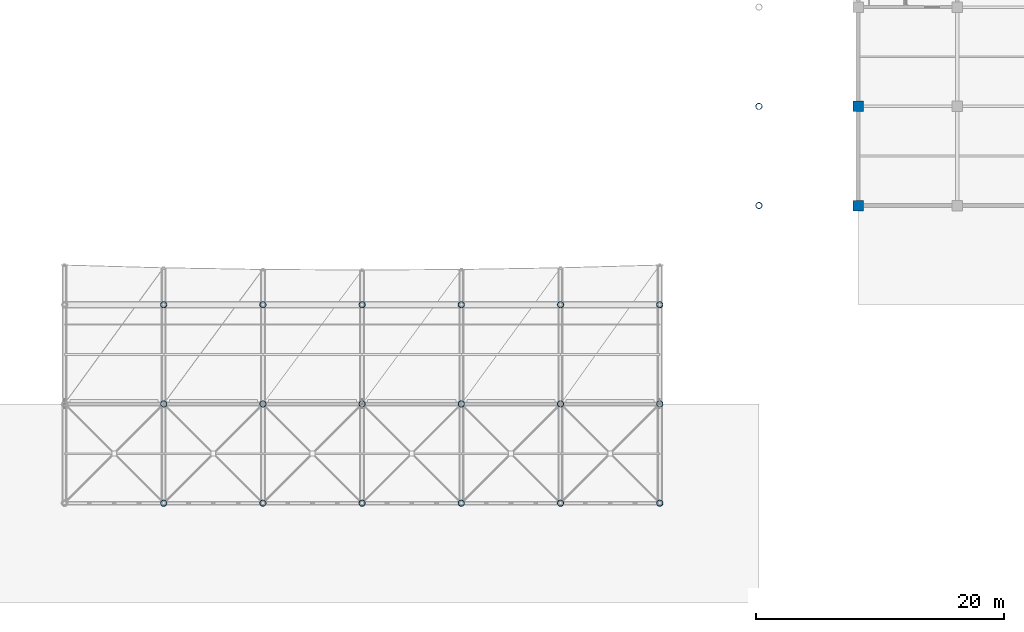
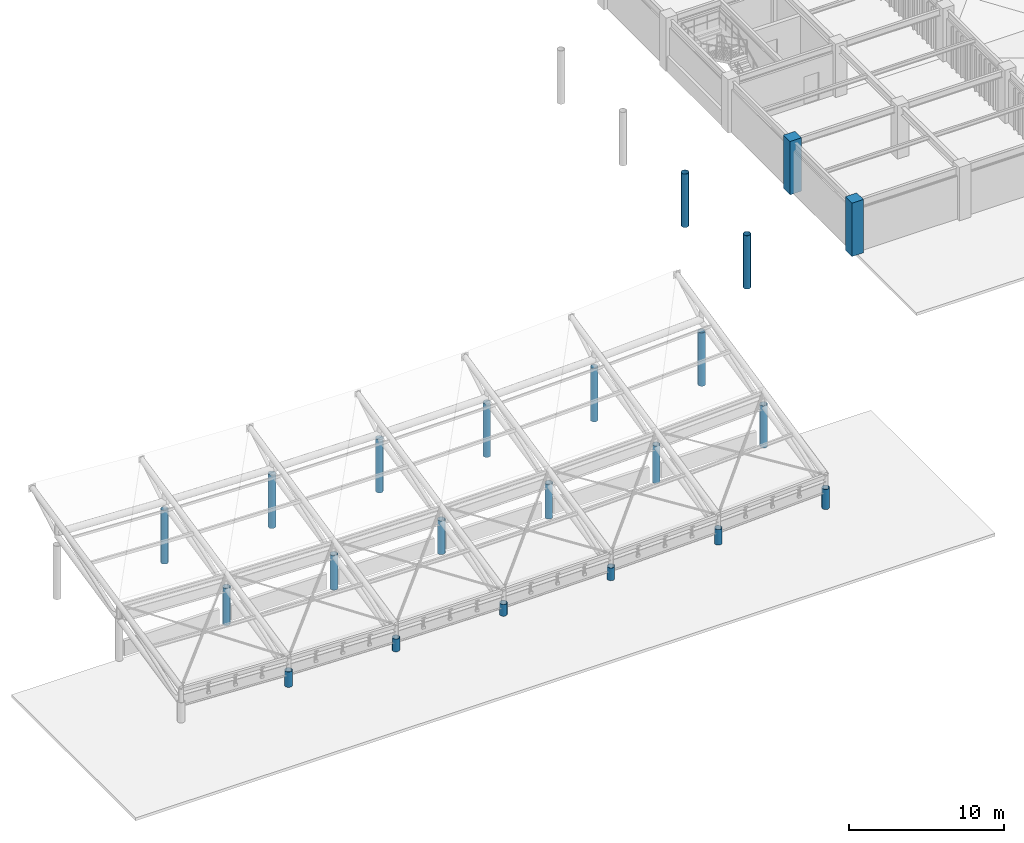
# One storey, part 3 of 78: 22 columns.
"""IFC4 building model written with IfcOpenShell, lengths in metres."""

from ifc_helpers import new_model, si_unit, direction, frame, origin, origin_2d, place, context, subcontext, project, spatial, rectangle, hollow_circle, extrude, material, material_profile, profile_set, type_object, element, save


model = new_model("IFC4")

# Units and contexts
model_context = context("Model", 3, precision=1e-05, world=origin(), true_north=direction((0.0, 1.0)))
body_context = subcontext(model_context, "Body", "Model", "MODEL_VIEW")
ifc_project = project(units=[si_unit("LENGTHUNIT", "METRE"), si_unit("AREAUNIT", "SQUARE_METRE"), si_unit("VOLUMEUNIT", "CUBIC_METRE"), si_unit("PLANEANGLEUNIT", "RADIAN"), si_unit("MASSUNIT", "GRAM", prefix="KILO")], contexts=[model_context])

# Site, building, storey
site_placement = place(None, origin())
site = spatial("IfcSite", under=ifc_project, at=site_placement, CompositionType="ELEMENT")
building_placement = place(site_placement, origin())
building = spatial("IfcBuilding", under=site, at=building_placement, Name="Haebicheon Civic Stadium", CompositionType="ELEMENT")
storey_placement = place(building_placement, frame((0.0, 0.0, 18.60009765625)))
storey = spatial("IfcBuildingStorey", under=building, at=storey_placement, Name="L05", CompositionType="ELEMENT", Elevation=18.60009765625)

# Columns
ifc_material_1 = material(Name="Concrete C40/50", Category="concrete")
ifc_material_profile_1 = material_profile(ifc_material_1, rectangle(XDim=0.85009765625, YDim=0.85009765625, at=origin_2d()), Name="RC-COL-850x850")
ifc_profile_set_1 = profile_set([ifc_material_profile_1], Name="Concrete C40/50")
column_type_1 = type_object("IfcColumnType", Name="COL-RC-850", PredefinedType="COLUMN", material=ifc_profile_set_1)
for number, where, z_axis, x_axis, name in (
    (1, (144.0, 48.0, 0.0), (0.0, 0.0, 1.0), (1.0, 0.0, 0.0), "L05 column 19/G"),
    (2, (144.0, 56.0, 0.0), (0.0, 0.0, 1.0), (1.0, 0.0, 0.0), "L05 column 19/H"),
):
    element("IfcColumn", number, at=place(storey_placement, frame(where, z_axis=z_axis, x_axis=x_axis)), inside=storey, type_object=column_type_1, material=ifc_profile_set_1, Name=name, PredefinedType="COLUMN", context=body_context, shape_type="SweptSolid", body=[
        extrude(rectangle(XDim=0.85009765625, YDim=0.85009765625, at=origin_2d()), origin(), (0.0, 0.0, 1.0), 4.199951171875),
    ])
ifc_material_2 = material(Name="White painted steel SM490", Category="steel")
ifc_material_profile_2 = material_profile(ifc_material_2, hollow_circle(Radius=0.25390625, WallThickness=0.02490234375, at=origin_2d()), Name="CHS-508.0x25.0")
ifc_profile_set_2 = profile_set([ifc_material_profile_2], Name="White painted steel SM490")
column_type_2 = type_object("IfcColumnType", Name="COL-ST-CHS508", PredefinedType="COLUMN", material=ifc_profile_set_2)
for number, where, z_axis, x_axis, name in (
    (3, (136.0, 48.0, 0.0), (0.0, 0.0, 1.0), (1.0, 0.0, 0.0), "Bowl/canopy support column 136/48 (L05)"),
    (4, (136.0, 56.0, 0.0), (0.0, 0.0, 1.0), (1.0, 0.0, 0.0), "Bowl/canopy support column 136/56 (L05)"),
):
    element("IfcColumn", number, at=place(storey_placement, frame(where, z_axis=z_axis, x_axis=x_axis)), inside=storey, type_object=column_type_2, material=ifc_profile_set_2, Name=name, PredefinedType="COLUMN", context=body_context, shape_type="SweptSolid", body=[
        extrude(hollow_circle(Radius=0.25390625, WallThickness=0.02490234375, at=origin_2d()), origin(), (0.0, 0.0, 1.0), 4.199951171875),
    ])
column_1_placement = place(storey_placement, frame((88.0, 24.0, 0.0), z_axis=(0.0, 0.0, 1.0), x_axis=(1.0, 0.0, 0.0)))
element("IfcColumn", 5, at=column_1_placement, inside=storey, type_object=column_type_2, material=ifc_profile_set_2, Name="Bowl/canopy support column 88/24 (L05)", PredefinedType="COLUMN", context=body_context, shape_type="SweptSolid", body=[
    extrude(hollow_circle(Radius=0.25390625, WallThickness=0.02490234375, at=origin_2d()), origin(), (0.0, 0.0, 1.0), 1.219970703125),
])
column_2_placement = place(storey_placement, frame((88.0, 32.0, 0.0), z_axis=(0.0, 0.0, 1.0), x_axis=(1.0, 0.0, 0.0)))
element("IfcColumn", 6, at=column_2_placement, inside=storey, type_object=column_type_2, material=ifc_profile_set_2, Name="Bowl/canopy support column 88/32 (L05)", PredefinedType="COLUMN", context=body_context, shape_type="SweptSolid", body=[
    extrude(hollow_circle(Radius=0.25390625, WallThickness=0.02490234375, at=origin_2d()), origin(), (0.0, 0.0, 1.0), 2.93994140625),
])
column_3_placement = place(storey_placement, frame((88.0, 40.0, 0.0), z_axis=(0.0, 0.0, 1.0), x_axis=(1.0, 0.0, 0.0)))
element("IfcColumn", 7, at=column_3_placement, inside=storey, type_object=column_type_2, material=ifc_profile_set_2, Name="Bowl/canopy support column 88/40 (L05)", PredefinedType="COLUMN", context=body_context, shape_type="SweptSolid", body=[
    extrude(hollow_circle(Radius=0.25390625, WallThickness=0.02490234375, at=origin_2d()), origin(), (0.0, 0.0, 1.0), 4.199951171875),
])
column_4_placement = place(storey_placement, frame((96.0, 24.0, 0.0), z_axis=(0.0, 0.0, 1.0), x_axis=(1.0, 0.0, 0.0)))
element("IfcColumn", 8, at=column_4_placement, inside=storey, type_object=column_type_2, material=ifc_profile_set_2, Name="Bowl/canopy support column 96/24 (L05)", PredefinedType="COLUMN", context=body_context, shape_type="SweptSolid", body=[
    extrude(hollow_circle(Radius=0.25390625, WallThickness=0.02490234375, at=origin_2d()), origin(), (0.0, 0.0, 1.0), 1.0),
])
column_5_placement = place(storey_placement, frame((96.0, 32.0, 0.0), z_axis=(0.0, 0.0, 1.0), x_axis=(1.0, 0.0, 0.0)))
element("IfcColumn", 9, at=column_5_placement, inside=storey, type_object=column_type_2, material=ifc_profile_set_2, Name="Bowl/canopy support column 96/32 (L05)", PredefinedType="COLUMN", context=body_context, shape_type="SweptSolid", body=[
    extrude(hollow_circle(Radius=0.25390625, WallThickness=0.02490234375, at=origin_2d()), origin(), (0.0, 0.0, 1.0), 2.719970703125),
])
column_6_placement = place(storey_placement, frame((96.0, 40.0, 0.0), z_axis=(0.0, 0.0, 1.0), x_axis=(1.0, 0.0, 0.0)))
element("IfcColumn", 10, at=column_6_placement, inside=storey, type_object=column_type_2, material=ifc_profile_set_2, Name="Bowl/canopy support column 96/40 (L05)", PredefinedType="COLUMN", context=body_context, shape_type="SweptSolid", body=[
    extrude(hollow_circle(Radius=0.25390625, WallThickness=0.02490234375, at=origin_2d()), origin(), (0.0, 0.0, 1.0), 4.199951171875),
])
column_7_placement = place(storey_placement, frame((104.0, 24.0, 0.0), z_axis=(0.0, 0.0, 1.0), x_axis=(1.0, 0.0, 0.0)))
element("IfcColumn", 11, at=column_7_placement, inside=storey, type_object=column_type_2, material=ifc_profile_set_2, Name="Bowl/canopy support column 104/24 (L05)", PredefinedType="COLUMN", context=body_context, shape_type="SweptSolid", body=[
    extrude(hollow_circle(Radius=0.25390625, WallThickness=0.02490234375, at=origin_2d()), origin(), (0.0, 0.0, 1.0), 0.927001953125),
])
column_8_placement = place(storey_placement, frame((104.0, 32.0, 0.0), z_axis=(0.0, 0.0, 1.0), x_axis=(1.0, 0.0, 0.0)))
element("IfcColumn", 12, at=column_8_placement, inside=storey, type_object=column_type_2, material=ifc_profile_set_2, Name="Bowl/canopy support column 104/32 (L05)", PredefinedType="COLUMN", context=body_context, shape_type="SweptSolid", body=[
    extrude(hollow_circle(Radius=0.25390625, WallThickness=0.02490234375, at=origin_2d()), origin(), (0.0, 0.0, 1.0), 2.64697265625),
])
column_9_placement = place(storey_placement, frame((104.0, 40.0, 0.0), z_axis=(0.0, 0.0, 1.0), x_axis=(1.0, 0.0, 0.0)))
element("IfcColumn", 13, at=column_9_placement, inside=storey, type_object=column_type_2, material=ifc_profile_set_2, Name="Bowl/canopy support column 104/40 (L05)", PredefinedType="COLUMN", context=body_context, shape_type="SweptSolid", body=[
    extrude(hollow_circle(Radius=0.25390625, WallThickness=0.02490234375, at=origin_2d()), origin(), (0.0, 0.0, 1.0), 4.199951171875),
])
column_10_placement = place(storey_placement, frame((112.0, 24.0, 0.0), z_axis=(0.0, 0.0, 1.0), x_axis=(1.0, 0.0, 0.0)))
element("IfcColumn", 14, at=column_10_placement, inside=storey, type_object=column_type_2, material=ifc_profile_set_2, Name="Bowl/canopy support column 112/24 (L05)", PredefinedType="COLUMN", context=body_context, shape_type="SweptSolid", body=[
    extrude(hollow_circle(Radius=0.25390625, WallThickness=0.02490234375, at=origin_2d()), origin(), (0.0, 0.0, 1.0), 1.0),
])
column_11_placement = place(storey_placement, frame((112.0, 32.0, 0.0), z_axis=(0.0, 0.0, 1.0), x_axis=(1.0, 0.0, 0.0)))
element("IfcColumn", 15, at=column_11_placement, inside=storey, type_object=column_type_2, material=ifc_profile_set_2, Name="Bowl/canopy support column 112/32 (L05)", PredefinedType="COLUMN", context=body_context, shape_type="SweptSolid", body=[
    extrude(hollow_circle(Radius=0.25390625, WallThickness=0.02490234375, at=origin_2d()), origin(), (0.0, 0.0, 1.0), 2.719970703125),
])
column_12_placement = place(storey_placement, frame((112.0, 40.0, 0.0), z_axis=(0.0, 0.0, 1.0), x_axis=(1.0, 0.0, 0.0)))
element("IfcColumn", 16, at=column_12_placement, inside=storey, type_object=column_type_2, material=ifc_profile_set_2, Name="Bowl/canopy support column 112/40 (L05)", PredefinedType="COLUMN", context=body_context, shape_type="SweptSolid", body=[
    extrude(hollow_circle(Radius=0.25390625, WallThickness=0.02490234375, at=origin_2d()), origin(), (0.0, 0.0, 1.0), 4.199951171875),
])
column_13_placement = place(storey_placement, frame((120.0, 24.0, 0.0), z_axis=(0.0, 0.0, 1.0), x_axis=(1.0, 0.0, 0.0)))
element("IfcColumn", 17, at=column_13_placement, inside=storey, type_object=column_type_2, material=ifc_profile_set_2, Name="Bowl/canopy support column 120/24 (L05)", PredefinedType="COLUMN", context=body_context, shape_type="SweptSolid", body=[
    extrude(hollow_circle(Radius=0.25390625, WallThickness=0.02490234375, at=origin_2d()), origin(), (0.0, 0.0, 1.0), 1.219970703125),
])
column_14_placement = place(storey_placement, frame((120.0, 32.0, 0.0), z_axis=(0.0, 0.0, 1.0), x_axis=(1.0, 0.0, 0.0)))
element("IfcColumn", 18, at=column_14_placement, inside=storey, type_object=column_type_2, material=ifc_profile_set_2, Name="Bowl/canopy support column 120/32 (L05)", PredefinedType="COLUMN", context=body_context, shape_type="SweptSolid", body=[
    extrude(hollow_circle(Radius=0.25390625, WallThickness=0.02490234375, at=origin_2d()), origin(), (0.0, 0.0, 1.0), 2.93994140625),
])
column_15_placement = place(storey_placement, frame((120.0, 40.0, 0.0), z_axis=(0.0, 0.0, 1.0), x_axis=(1.0, 0.0, 0.0)))
element("IfcColumn", 19, at=column_15_placement, inside=storey, type_object=column_type_2, material=ifc_profile_set_2, Name="Bowl/canopy support column 120/40 (L05)", PredefinedType="COLUMN", context=body_context, shape_type="SweptSolid", body=[
    extrude(hollow_circle(Radius=0.25390625, WallThickness=0.02490234375, at=origin_2d()), origin(), (0.0, 0.0, 1.0), 4.199951171875),
])
column_16_placement = place(storey_placement, frame((128.0, 24.0, 0.0), z_axis=(0.0, 0.0, 1.0), x_axis=(1.0, 0.0, 0.0)))
element("IfcColumn", 20, at=column_16_placement, inside=storey, type_object=column_type_2, material=ifc_profile_set_2, Name="Bowl/canopy support column 128/24 (L05)", PredefinedType="COLUMN", context=body_context, shape_type="SweptSolid", body=[
    extrude(hollow_circle(Radius=0.25390625, WallThickness=0.02490234375, at=origin_2d()), origin(), (0.0, 0.0, 1.0), 1.5869140625),
])
column_17_placement = place(storey_placement, frame((128.0, 32.0, 0.0), z_axis=(0.0, 0.0, 1.0), x_axis=(1.0, 0.0, 0.0)))
element("IfcColumn", 21, at=column_17_placement, inside=storey, type_object=column_type_2, material=ifc_profile_set_2, Name="Bowl/canopy support column 128/32 (L05)", PredefinedType="COLUMN", context=body_context, shape_type="SweptSolid", body=[
    extrude(hollow_circle(Radius=0.25390625, WallThickness=0.02490234375, at=origin_2d()), origin(), (0.0, 0.0, 1.0), 3.306884765625),
])
column_18_placement = place(storey_placement, frame((128.0, 40.0, 0.0), z_axis=(0.0, 0.0, 1.0), x_axis=(1.0, 0.0, 0.0)))
element("IfcColumn", 22, at=column_18_placement, inside=storey, type_object=column_type_2, material=ifc_profile_set_2, Name="Bowl/canopy support column 128/40 (L05)", PredefinedType="COLUMN", context=body_context, shape_type="SweptSolid", body=[
    extrude(hollow_circle(Radius=0.25390625, WallThickness=0.02490234375, at=origin_2d()), origin(), (0.0, 0.0, 1.0), 4.199951171875),
])

save(model, "model.ifc")
